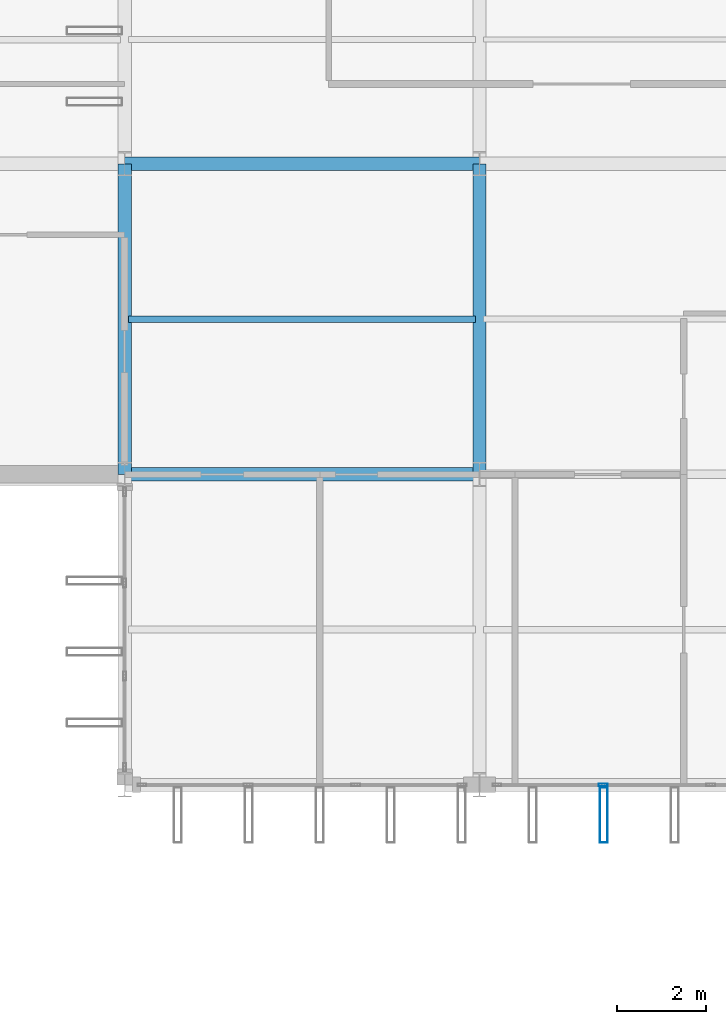
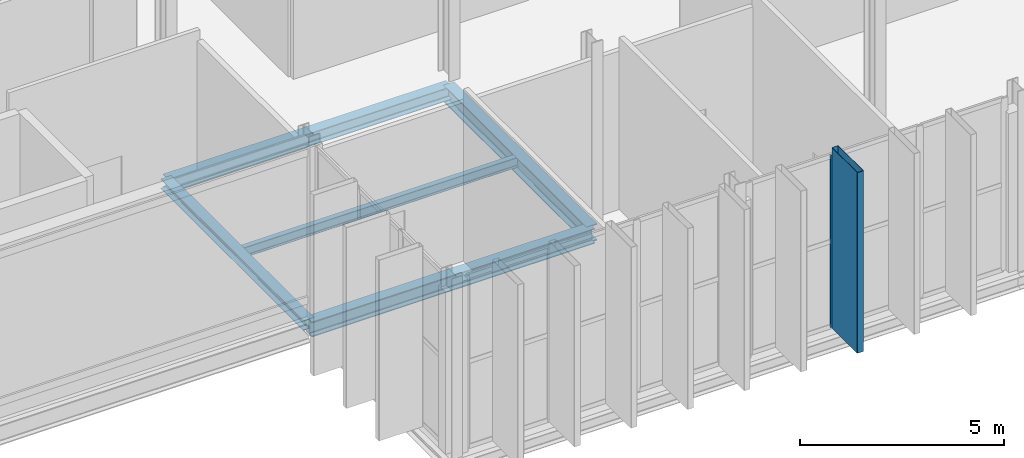
# One storey, part 36 of 147: 5 beams, 2 members, 1 element without a shape of its own.
"""IFC4 building model written with IfcOpenShell, lengths in metres."""

from ifc_helpers import new_model, si_unit, direction, frame, origin, origin_2d, place, context, subcontext, project, spatial, hollow_rectangle, i_section, extrude, material, layer, layer_set, material_profile, profile_set, type_object, element, aggregate, save


model = new_model("IFC4")

# Units and contexts
model_context = context("Model", 3, precision=1e-05, world=origin(), true_north=direction((0.0, 1.0)))
body_context = subcontext(model_context, "Body", "Model", "MODEL_VIEW")
ifc_project = project(units=[si_unit("LENGTHUNIT", "METRE"), si_unit("AREAUNIT", "SQUARE_METRE"), si_unit("VOLUMEUNIT", "CUBIC_METRE"), si_unit("PLANEANGLEUNIT", "RADIAN"), si_unit("MASSUNIT", "GRAM", prefix="KILO")], contexts=[model_context])

# Site, building, storey
site_placement = place(None, origin())
site = spatial("IfcSite", under=ifc_project, at=site_placement, CompositionType="ELEMENT")
building_placement = place(site_placement, origin())
building = spatial("IfcBuilding", under=site, at=building_placement, Name="Vekula Escarpment Museum", CompositionType="ELEMENT")
storey_placement = place(building_placement, frame((0.0, 0.0, 7.800048828125)))
storey = spatial("IfcBuildingStorey", under=building, at=storey_placement, Name="L02", CompositionType="ELEMENT", Elevation=7.800048828125)

# Beams
ifc_material_1 = material(Name="Steel S355", Category="steel")
ifc_material_profile_1 = material_profile(ifc_material_1, i_section(OverallWidth=0.300048828125, OverallDepth=0.449951171875, WebThickness=0.013916015625, FlangeThickness=0.02587890625, FilletRadius=0.027099609375, at=origin_2d()), Name="HEB 450")
ifc_profile_set_1 = profile_set([ifc_material_profile_1], Name="Steel S355")
beam_type_1 = type_object("IfcBeamType", Name="BM-GIRD-HEB450", PredefinedType="BEAM", material=ifc_profile_set_1)
beam_1_placement = place(storey_placement, frame((70.0, 52.60009765625, -0.485107421875), z_axis=(1.0, 0.0, 0.0), x_axis=(0.0, 1.0, 0.0)))
element("IfcBeam", 1, at=beam_1_placement, inside=storey, type_object=beam_type_1, Name="Beam X L02 0860", PredefinedType="BEAM", context=body_context, shape_type="SweptSolid", body=[
    extrude(i_section(OverallWidth=0.300048828125, OverallDepth=0.449951171875, WebThickness=0.013916015625, FlangeThickness=0.02587890625, FilletRadius=0.027099609375, at=origin_2d()), origin(), (0.0, 0.0, 1.0), 8.0),
])
ifc_material_2 = material(Name="Steel S355", Category="steel")
ifc_material_profile_2 = material_profile(ifc_material_2, i_section(OverallWidth=0.300048828125, OverallDepth=0.5, WebThickness=0.014404296875, FlangeThickness=0.028076171875, FilletRadius=0.027099609375, at=origin_2d()), Name="HEB 500")
ifc_profile_set_2 = profile_set([ifc_material_profile_2], Name="Steel S355")
beam_type_2 = type_object("IfcBeamType", Name="BM-GIRD-HEB500", PredefinedType="BEAM", material=ifc_profile_set_2)
beam_2_placement = place(storey_placement, frame((78.0, 52.60009765625, -0.510009765625), z_axis=(0.0, 1.0, 0.0), x_axis=(-1.0, 0.0, 0.0)))
element("IfcBeam", 2, at=beam_2_placement, inside=storey, type_object=beam_type_2, Name="Beam Y L02 1135", PredefinedType="BEAM", context=body_context, shape_type="SweptSolid", body=[
    extrude(i_section(OverallWidth=0.300048828125, OverallDepth=0.5, WebThickness=0.014404296875, FlangeThickness=0.028076171875, FilletRadius=0.027099609375, at=origin_2d()), origin(), (0.0, 0.0, 1.0), 7.0),
])
ifc_material_3 = material(Name="Steel S355", Category="steel")
ifc_material_profile_3 = material_profile(ifc_material_3, i_section(OverallWidth=0.14990234375, OverallDepth=0.300048828125, WebThickness=0.007080078125, FlangeThickness=0.0107421875, FilletRadius=0.014892578125, at=origin_2d()), Name="IPE 300")
ifc_profile_set_3 = profile_set([ifc_material_profile_3], Name="Steel S355")
beam_type_3 = type_object("IfcBeamType", Name="BM-JST-IPE300", PredefinedType="JOIST", material=ifc_profile_set_3)
beam_3_placement = place(storey_placement, frame((70.090087890625, 56.10009765625, -0.41015625), z_axis=(1.0, 0.0, 0.0), x_axis=(0.0, 1.0, 0.0)))
element("IfcBeam", 3, at=beam_3_placement, inside=storey, type_object=beam_type_3, Name="Secondary Joist L02 0733", PredefinedType="JOIST", context=body_context, shape_type="SweptSolid", body=[
    extrude(i_section(OverallWidth=0.14990234375, OverallDepth=0.300048828125, WebThickness=0.007080078125, FlangeThickness=0.0107421875, FilletRadius=0.014892578125, at=origin_2d()), origin(), (0.0, 0.0, 1.0), 7.81982421875),
])
ifc_material_4 = material(Name="Steel S355", Category="steel")
ifc_material_profile_4 = material_profile(ifc_material_4, i_section(OverallWidth=0.300048828125, OverallDepth=0.2900390625, WebThickness=0.008544921875, FlangeThickness=0.013916015625, FilletRadius=0.027099609375, at=origin_2d()), Name="HEA 300")
ifc_profile_set_4 = profile_set([ifc_material_profile_4], Name="Steel S355")
beam_type_4 = type_object("IfcBeamType", Name="BM-SPAN-HEA300", PredefinedType="SPANDREL", material=ifc_profile_set_4)
beam_4_placement = place(storey_placement, frame((70.0, 52.60009765625, -0.405029296875), z_axis=(0.0, 1.0, 0.0), x_axis=(-1.0, 0.0, 0.0)))
element("IfcBeam", 4, at=beam_4_placement, inside=storey, type_object=beam_type_4, Name="Beam Y L02 1127", PredefinedType="SPANDREL", context=body_context, shape_type="SweptSolid", body=[
    extrude(i_section(OverallWidth=0.300048828125, OverallDepth=0.2900390625, WebThickness=0.008544921875, FlangeThickness=0.013916015625, FilletRadius=0.027099609375, at=origin_2d()), origin(), (0.0, 0.0, 1.0), 7.0),
])
ifc_material_5 = material(Name="Steel S355", Category="steel")
ifc_material_profile_5 = material_profile(ifc_material_5, i_section(OverallWidth=0.300048828125, OverallDepth=0.389892578125, WebThickness=0.010986328125, FlangeThickness=0.01904296875, FilletRadius=0.027099609375, at=origin_2d()), Name="HEA 400")
ifc_profile_set_5 = profile_set([ifc_material_profile_5], Name="Steel S355")
beam_type_5 = type_object("IfcBeamType", Name="BM-SPAN-HEA400", PredefinedType="SPANDREL", material=ifc_profile_set_5)
beam_5_placement = place(storey_placement, frame((70.0, 59.60009765625, -0.455078125), z_axis=(1.0, 0.0, 0.0), x_axis=(0.0, 1.0, 0.0)))
element("IfcBeam", 5, at=beam_5_placement, inside=storey, type_object=beam_type_5, Name="Beam X L02 0878", PredefinedType="SPANDREL", context=body_context, shape_type="SweptSolid", body=[
    extrude(i_section(OverallWidth=0.300048828125, OverallDepth=0.389892578125, WebThickness=0.010986328125, FlangeThickness=0.01904296875, FilletRadius=0.027099609375, at=origin_2d()), origin(), (0.0, 0.0, 1.0), 8.0),
])

# Curtain wall, member
ifc_material_6 = material(Name="Aluminium thermally broken framing", Category="aluminium")
ifc_layer = layer(ifc_material_6, 0.199951171875)
ifc_layer_set = layer_set([ifc_layer], Name="Aluminium thermally broken framing")
curtain_wall_type = type_object("IfcCurtainWallType", Name="CW-SYS-04", PredefinedType="NOTDEFINED", material=ifc_layer_set)
curtain_wall_placement = place(storey_placement, origin())
curtain_wall = element("IfcCurtainWall", 6, at=curtain_wall_placement, inside=storey, type_object=curtain_wall_type, Name="Curtain Wall CW-L02-054", PredefinedType="NOTDEFINED")
ifc_material_7 = material(Name="Aluminium anodized mullion", Category="aluminium")
ifc_material_profile_6 = material_profile(ifc_material_7, hollow_rectangle(XDim=0.06494140625, YDim=0.199951171875, WallThickness=0.00390625, InnerFilletRadius=0.00390625, OuterFilletRadius=0.008056640625, at=origin_2d()), Name="ALU 200x65x4")
ifc_profile_set_6 = profile_set([ifc_material_profile_6], Name="Aluminium anodized mullion")
member_type_1 = type_object("IfcMemberType", Name="CW-MUL-200", PredefinedType="MULLION", material=ifc_profile_set_6)
member_1_placement = place(storey_placement, frame((80.78662109375, 45.60009765625, 0.0), z_axis=(0.0, 0.0, 1.0), x_axis=(0.0, 1.0, 0.0)))
member_1 = element("IfcMember", 7, at=member_1_placement, type_object=member_type_1, Name="CW-04 mullion 2", PredefinedType="MULLION", context=body_context, shape_type="SweptSolid", body=[
    extrude(hollow_rectangle(XDim=0.06494140625, YDim=0.199951171875, WallThickness=0.00390625, InnerFilletRadius=0.00390625, OuterFilletRadius=0.008056640625, at=origin_2d()), origin(), (0.0, 0.0, 1.0), 5.14990234375),
])
aggregate(curtain_wall, [member_1])

# Member
ifc_material_8 = material(Name="Steel S355 weathered bronze solar fin", Category="steel")
ifc_material_profile_7 = material_profile(ifc_material_8, hollow_rectangle(XDim=0.179931640625, YDim=1.25, WallThickness=0.010009765625, InnerFilletRadius=0.010009765625, OuterFilletRadius=0.02001953125, at=origin_2d()), Name="RHS 1250x180x10")
ifc_profile_set_7 = profile_set([ifc_material_profile_7], Name="Steel S355 weathered bronze solar fin")
member_type_2 = type_object("IfcMemberType", Name="MB-SOLAR-FIN", PredefinedType="USERDEFINED", material=ifc_profile_set_7)
member_2_placement = place(storey_placement, frame((80.800048828125, 44.919921875, 0.0), z_axis=(0.0, 0.0, 1.0), x_axis=(1.0, 0.0, 0.0)))
element("IfcMember", 8, at=member_2_placement, inside=storey, type_object=member_type_2, Name="Great Hall Vertical Solar Fin 0032", ObjectType="SOLAR FIN", PredefinedType="USERDEFINED", context=body_context, shape_type="SweptSolid", body=[
    extrude(hollow_rectangle(XDim=0.179931640625, YDim=1.25, WallThickness=0.010009765625, InnerFilletRadius=0.010009765625, OuterFilletRadius=0.02001953125, at=origin_2d()), origin(), (0.0, 0.0, 1.0), 5.39990234375),
])

save(model, "model.ifc")
